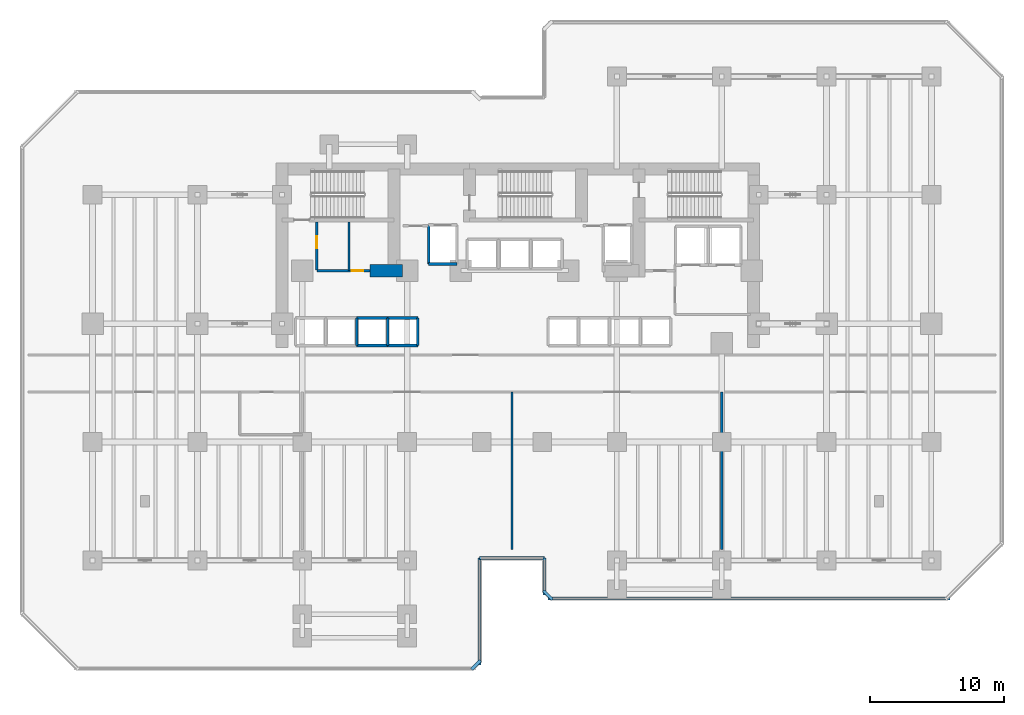
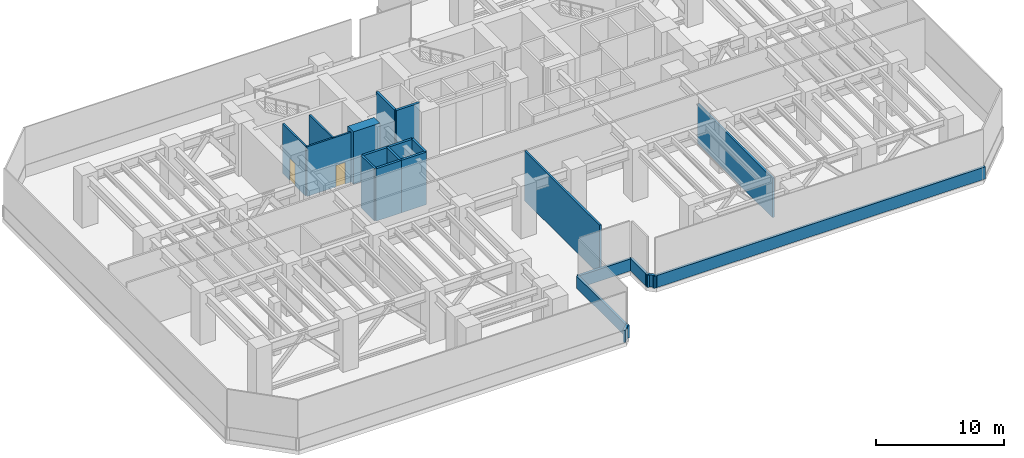
# One storey, part 6 of 13: 21 walls, 2 doors, 2 openings.
"""IFC4 building model written with IfcOpenShell, lengths in metres."""

import ifcopenshell
import ifcopenshell.guid

model = None  # the IFC model being written
_history = None  # IfcOwnerHistory: only IFC2X3 demands one
_inside = {}  # id of a spatial element -> (the spatial element, [elements in it])
_under = {}  # id of a project, library or spatial element -> (it, [spatial elements below it])
_declared = {}  # id of a project -> (the project, [libraries it declares])
_typed = {}  # id of a type object -> (the type object, [elements of that type])
_made_of = {}  # id of a material, layer set ... -> (it, [elements and type objects made of it])


def new_model(schema):
    """Start an empty IFC model of exactly this schema.

    Asked for "IFC4X3", IfcOpenShell would pick the latest addendum, in which some entities
    have other attributes; the version numbers below select the first issue.
    IFC2X3 requires an IfcOwnerHistory on every rooted entity: one is made here for all.
    """
    global model, _history
    if schema == "IFC4X3":
        model = ifcopenshell.file(schema_version=(4, 3, 0, 0))
    else:
        model = ifcopenshell.file(schema=schema)
    _inside.clear()
    _under.clear()
    _declared.clear()
    _typed.clear()
    _made_of.clear()
    _history = None
    if model.schema == "IFC2X3":
        org = make("IfcOrganization", Name="unknown")
        user = make(
            "IfcPersonAndOrganization",
            ThePerson=make("IfcPerson", FamilyName="unknown"),
            TheOrganization=org,
        )
        app = make(
            "IfcApplication",
            ApplicationDeveloper=org,
            Version="unknown",
            ApplicationFullName="unknown",
            ApplicationIdentifier="unknown",
        )
        _history = make(
            "IfcOwnerHistory",
            OwningUser=user,
            OwningApplication=app,
            ChangeAction="ADDED",
            CreationDate=0,
        )
    return model


def make(cls, **values):
    """One entity of the class cls with the attributes given. An attribute that is None is left unset."""
    return model.create_entity(
        cls, **{name: value for name, value in values.items() if value is not None}
    )


def rooted(cls, **values):
    """An entity with a GlobalId (a new one), such as an element, a storey or a relation."""
    return make(cls, GlobalId=ifcopenshell.guid.new(), OwnerHistory=_history, **values)


def si_unit(unit_type, name, prefix=None):
    """IfcSIUnit, for example si_unit("LENGTHUNIT", "METRE", prefix="MILLI")."""
    return make("IfcSIUnit", UnitType=unit_type, Prefix=prefix, Name=name)


def assignment(units):
    """IfcUnitAssignment: the units of a project."""
    return None if units is None else make("IfcUnitAssignment", Units=units)


def point(xyz):
    """IfcCartesianPoint."""
    return None if xyz is None else make("IfcCartesianPoint", Coordinates=xyz)


def direction(xyz):
    """IfcDirection."""
    return None if xyz is None else make("IfcDirection", DirectionRatios=xyz)


def frame(location, z_axis=None, x_axis=None):
    """IfcAxis2Placement3D, a coordinate frame: its origin and axes. An axis left out is left unset."""
    return make(
        "IfcAxis2Placement3D",
        Location=point(location),
        Axis=direction(z_axis),
        RefDirection=direction(x_axis),
    )


def frame_2d(location, x_axis=None):
    """IfcAxis2Placement2D, a coordinate frame in the plane: its origin and x axis."""
    return make(
        "IfcAxis2Placement2D", Location=point(location), RefDirection=direction(x_axis)
    )


def origin():
    """The frame at (0, 0, 0) with its axes left unset."""
    return frame((0.0, 0.0, 0.0))


def place(relative_to, where):
    """IfcLocalPlacement: puts the frame where relative to a parent placement (None: the world)."""
    return make(
        "IfcLocalPlacement", PlacementRelTo=relative_to, RelativePlacement=where
    )


def context(
    kind, dimensions, precision=None, world=None, true_north=None, identifier=None
):
    """IfcGeometricRepresentationContext, for example the 3D "Model" context."""
    return make(
        "IfcGeometricRepresentationContext",
        ContextIdentifier=identifier,
        ContextType=kind,
        CoordinateSpaceDimension=dimensions,
        Precision=precision,
        WorldCoordinateSystem=world,
        TrueNorth=true_north,
    )


def subcontext(parent, identifier, kind, view, scale=None):
    """IfcGeometricRepresentationSubContext, for example "Body" below "Model"."""
    return make(
        "IfcGeometricRepresentationSubContext",
        ContextIdentifier=identifier,
        ContextType=kind,
        ParentContext=parent,
        TargetScale=scale,
        TargetView=view,
    )


def project(units=None, contexts=None):
    """IfcProject with its units and contexts."""
    return rooted(
        "IfcProject",
        Name="project",
        RepresentationContexts=contexts,
        UnitsInContext=assignment(units),
    )


def spatial(cls, under=None, at=None, **own):
    """A site, building, storey or space (cls), placed at a placement, below another one or the project."""
    s = rooted(cls, ObjectPlacement=at, **own)
    if under is not None:
        _under.setdefault(under.id(), (under, []))[1].append(s)
    return s


def profile(cls, at=None, kind="AREA", **sizes):
    """A parametric profile (cls). Its sizes go by their IFC names, for example OverallWidth=200.0."""
    return make(cls, ProfileType=kind, Position=at, **sizes)


def rectangle(**sizes):
    """IfcRectangleProfileDef."""
    return profile("IfcRectangleProfileDef", **sizes)


def extrude(swept, where, along, depth):
    """IfcExtrudedAreaSolid: the profile swept, set in the frame where, extruded along a direction by depth."""
    return make(
        "IfcExtrudedAreaSolid",
        SweptArea=swept,
        Position=where,
        ExtrudedDirection=direction(along),
        Depth=depth,
    )


def shape(context_of_items, identifier, shape_type, items):
    """IfcShapeRepresentation: the items that make up one representation, for example the "Body"."""
    return make(
        "IfcShapeRepresentation",
        ContextOfItems=context_of_items,
        RepresentationIdentifier=identifier,
        RepresentationType=shape_type,
        Items=items,
    )


def material(Name=None, Category=None):
    """IfcMaterial."""
    return make("IfcMaterial", Name=Name, Category=Category)


def layer(
    of_material, thickness, ventilated=None, Name=None, Category=None, Priority=None
):
    """IfcMaterialLayer: one layer of a wall or slab, of a material (None: an air gap)."""
    return make(
        "IfcMaterialLayer",
        Material=of_material,
        LayerThickness=thickness,
        IsVentilated=ventilated,
        Name=Name,
        Category=Category,
        Priority=Priority,
    )


def layer_set(layers, Name=None):
    """IfcMaterialLayerSet."""
    return make("IfcMaterialLayerSet", MaterialLayers=layers, LayerSetName=Name)


def made_of(thing, what):
    """Note that an element or type object is made of a material, layer set ...; save() writes the relation."""
    if what is not None:
        _made_of.setdefault(what.id(), (what, []))[1].append(thing)
    return thing


def type_object(cls, material=None, **own):
    """A type object (cls), such as IfcWallType, which elements share."""
    return made_of(rooted(cls, **own), material)


def element(
    cls,
    number,
    at=None,
    inside=None,
    cuts=None,
    type_object=None,
    material=None,
    context=None,
    identifier="Body",
    shape_type=None,
    held_by="IfcProductDefinitionShape",
    body=None,
    shapes=None,
    **own,
):
    """One element of the class cls, such as IfcWall. Its Tag is "e" and its number.

    at: its placement. inside: the storey or other place that contains it. cuts: it is an
    opening in that element (IfcRelVoidsElement). A single representation is given by context,
    identifier, shape_type and body (its items); several are given by shapes. held_by: the class
    of the entity that holds the representations. save() writes the other relations.
    """
    e = rooted(cls, Tag="e%d" % number, ObjectPlacement=at, **own)
    if body is not None:
        shapes = [shape(context, identifier, shape_type, body)]
    if shapes is not None:
        e.Representation = make(held_by, Representations=shapes)
    if inside is not None:
        _inside.setdefault(inside.id(), (inside, []))[1].append(e)
    if cuts is not None:
        rooted(
            "IfcRelVoidsElement", RelatingBuildingElement=cuts, RelatedOpeningElement=e
        )
    if type_object is not None:
        _typed.setdefault(type_object.id(), (type_object, []))[1].append(e)
    return made_of(e, material)


def fill(opening, filler):
    """IfcRelFillsElement: the door or window that sits in an opening."""
    return rooted(
        "IfcRelFillsElement",
        RelatingOpeningElement=opening,
        RelatedBuildingElement=filler,
    )


def aggregate(whole, parts):
    """IfcRelAggregates: a whole, such as a stair, and the parts it consists of."""
    return rooted("IfcRelAggregates", RelatingObject=whole, RelatedObjects=parts)


def save(model, path):
    """Write the relations noted so far, then the file.

    IfcRelAggregates (storeys below a building ...), IfcRelContainedInSpatialStructure (elements
    in a storey), IfcRelDefinesByType, IfcRelAssociatesMaterial and IfcRelDeclares: one each for
    every whole, place, type object, material and project.
    """
    for whole, parts in _under.values():
        aggregate(whole, parts)
    for where, things in _inside.values():
        rooted(
            "IfcRelContainedInSpatialStructure",
            RelatedElements=things,
            RelatingStructure=where,
        )
    for kind, things in _typed.values():
        rooted("IfcRelDefinesByType", RelatedObjects=things, RelatingType=kind)
    for what, things in _made_of.values():
        rooted("IfcRelAssociatesMaterial", RelatedObjects=things, RelatingMaterial=what)
    for by, libraries in _declared.values():
        rooted("IfcRelDeclares", RelatingContext=by, RelatedDefinitions=libraries)
    model.write(path)


model = new_model("IFC4")

# Units and contexts
model_context = context("Model", 3, precision=1e-05, world=origin(), true_north=direction((0.0, 1.0)))
body_context = subcontext(model_context, "Body", "Model", "MODEL_VIEW")
ifc_project = project(units=[si_unit("LENGTHUNIT", "METRE"), si_unit("AREAUNIT", "SQUARE_METRE"), si_unit("VOLUMEUNIT", "CUBIC_METRE"), si_unit("PLANEANGLEUNIT", "RADIAN"), si_unit("MASSUNIT", "GRAM", prefix="KILO")], contexts=[model_context])

# Site, building, storey
site_placement = place(None, origin())
site = spatial("IfcSite", under=ifc_project, at=site_placement, CompositionType="ELEMENT")
building_placement = place(site_placement, origin())
building = spatial("IfcBuilding", under=site, at=building_placement, Name="Kestravale Grand Hotel", CompositionType="ELEMENT")
storey_placement = place(building_placement, frame((0.0, 0.0, 75.39990234375)))
storey = spatial("IfcBuildingStorey", under=building, at=storey_placement, Name="L18", CompositionType="ELEMENT", Elevation=75.39990234375)

# Walls
ifc_material_1 = material(Name="Concrete f'c 70 MPa", Category="concrete")
ifc_layer_1 = layer(ifc_material_1, 0.89990234375)
ifc_layer_set_1 = layer_set([ifc_layer_1], Name="EW-CORE-900")
wall_type_1 = type_object("IfcWallType", Name="EW-CORE-900", PredefinedType="SHEAR", material=ifc_layer_set_1)
wall_1_placement = place(storey_placement, frame((28.449951171875, 32.75, 0.0), z_axis=(0.0, 0.0, 1.0), x_axis=(1.0, 0.0, 0.0)))
element("IfcWall", 1, at=wall_1_placement, inside=storey, type_object=wall_type_1, Name="L18 core shear wall S1", PredefinedType="SHEAR", context=body_context, shape_type="SweptSolid", body=[
    extrude(rectangle(XDim=2.400146484375, YDim=0.89990234375, at=frame_2d((1.2001953125, 0.0))), origin(), (0.0, 0.0, 1.0), 5.0),
])
ifc_material_2 = material(Name="Precast concrete f'c 45 MPa", Category="concrete")
ifc_layer_2 = layer(ifc_material_2, 0.219970703125)
ifc_layer_set_2 = layer_set([ifc_layer_2], Name="EW-PAR-220")
wall_type_2 = type_object("IfcWallType", Name="EW-PAR-220", PredefinedType="PARAPET", material=ifc_layer_set_2)
wall_2_placement = place(storey_placement, frame((36.00146484375, 3.091796875, 0.0), z_axis=(0.0, 0.0, 1.0), x_axis=(0.707106781187, 0.707106781187, 0.0)))
element("IfcWall", 2, at=wall_2_placement, inside=storey, type_object=wall_type_2, Name="L18 refuge band parapet wall 2", PredefinedType="PARAPET", context=body_context, shape_type="SweptSolid", body=[
    extrude(rectangle(XDim=0.9287109375, YDim=0.219970703125, at=frame_2d((0.46435546875, 0.0))), origin(), (0.0, 0.0, 1.0), 1.150146484375),
])
wall_3_placement = place(storey_placement, frame((36.580078125, 3.429931640625, 0.0), z_axis=(0.0, 0.0, 1.0), x_axis=(0.0, 1.0, 0.0)))
element("IfcWall", 3, at=wall_3_placement, inside=storey, type_object=wall_type_2, Name="L18 refuge band parapet wall 3", PredefinedType="PARAPET", context=body_context, shape_type="SweptSolid", body=[
    extrude(rectangle(XDim=7.940185546875, YDim=0.219970703125, at=frame_2d((3.97021484375, 0.0))), origin(), (0.0, 0.0, 1.0), 1.150146484375),
])
wall_4_placement = place(storey_placement, frame((36.580078125, 11.3701171875, 0.0), z_axis=(0.0, 0.0, 1.0), x_axis=(1.0, 0.0, 0.0)))
element("IfcWall", 4, at=wall_4_placement, inside=storey, type_object=wall_type_2, Name="L18 refuge band parapet wall 4", PredefinedType="PARAPET", context=body_context, shape_type="SweptSolid", body=[
    extrude(rectangle(XDim=4.83984375, YDim=0.219970703125, at=frame_2d((2.419921875, 0.0))), origin(), (0.0, 0.0, 1.0), 1.150146484375),
])
wall_5_placement = place(storey_placement, frame((41.419921875, 11.3701171875, 0.0), z_axis=(0.0, 0.0, 1.0), x_axis=(0.0, -1.0, 0.0)))
element("IfcWall", 5, at=wall_5_placement, inside=storey, type_object=wall_type_2, Name="L18 refuge band parapet wall 5", PredefinedType="PARAPET", context=body_context, shape_type="SweptSolid", body=[
    extrude(rectangle(XDim=2.740234375, YDim=0.219970703125, at=frame_2d((1.3701171875, 0.0))), origin(), (0.0, 0.0, 1.0), 1.150146484375),
])
wall_6_placement = place(storey_placement, frame((41.341796875, 8.948486328125, 0.0), z_axis=(0.0, 0.0, 1.0), x_axis=(0.707238225886, -0.706975312048, 0.0)))
element("IfcWall", 6, at=wall_6_placement, inside=storey, type_object=wall_type_2, Name="L18 refuge band parapet wall 6", PredefinedType="PARAPET", context=body_context, shape_type="SweptSolid", body=[
    extrude(rectangle(XDim=0.9287109375, YDim=0.219970703125, at=frame_2d((0.46435546875, 0.0))), origin(), (0.0, 0.0, 1.0), 1.150146484375),
])
wall_7_placement = place(storey_placement, frame((41.679931640625, 8.3701171875, 0.0), z_axis=(0.0, 0.0, 1.0), x_axis=(1.0, 0.0, 0.0)))
element("IfcWall", 7, at=wall_7_placement, inside=storey, type_object=wall_type_2, Name="L18 refuge band parapet wall 7", PredefinedType="PARAPET", context=body_context, shape_type="SweptSolid", body=[
    extrude(rectangle(XDim=29.89013671875, YDim=0.219970703125, at=frame_2d((14.945068359375, 0.0))), origin(), (0.0, 0.0, 1.0), 1.150146484375),
])

# Wall, opening, door
ifc_material_3 = material(Name="Acoustic fire-rated gypsum board partition", Category="other")
ifc_layer_3 = layer(ifc_material_3, 0.159912109375)
ifc_layer_set_3 = layer_set([ifc_layer_3], Name="IW-CORR-160")
wall_type_3 = type_object("IfcWallType", Name="IW-CORR-160", PredefinedType="PARTITIONING", material=ifc_layer_set_3)
wall_8_placement = place(storey_placement, frame((24.47998046875, 32.800048828125, 0.0), z_axis=(0.0, 0.0, 1.0), x_axis=(0.0, 1.0, 0.0)))
wall_8 = element("IfcWall", 8, at=wall_8_placement, inside=storey, type_object=wall_type_3, Name="L18 west core vestibule wall", PredefinedType="PARTITIONING", context=body_context, shape_type="SweptSolid", body=[
    extrude(rectangle(XDim=3.570068359375, YDim=0.159912109375, at=frame_2d((1.78515625, 0.0))), origin(), (0.0, 0.0, 1.0), 4.739990234375),
])
opening_1_placement = place(wall_8_placement, frame((1.603515625, 0.0, 0.0)))
opening_1 = element("IfcOpeningElement", 9, at=opening_1_placement, cuts=wall_8, Name="Opening D-SH-900", PredefinedType="OPENING", context=body_context, shape_type="SweptSolid", body=[
    extrude(rectangle(XDim=0.89990234375, YDim=2.10009765625, at=frame_2d((0.449951171875, 1.050048828125))), frame((0.0, 0.08984375, 0.0), z_axis=(0.0, -1.0, 0.0), x_axis=(1.0, 0.0, 0.0)), (0.0, 0.0, 1.0), 0.179931640625),
])
ifc_material_4 = material(Name="Galvanised 90-minute shaft and service fire door", Category="steel")
door_type_1 = type_object("IfcDoorType", Name="D-SH-900", OperationType="NOTDEFINED", PredefinedType="DOOR", material=ifc_material_4)
door_1_placement = place(opening_1_placement, origin())
door_1 = element("IfcDoor", 10, at=door_1_placement, inside=storey, type_object=door_type_1, Name="D-L18-HK", OperationType="SINGLE_SWING_RIGHT", OverallHeight=2.10009765625, OverallWidth=0.89990234375, PredefinedType="DOOR", context=body_context, shape_type="SweptSolid", body=[
    extrude(rectangle(XDim=0.89990234375, YDim=2.10009765625, at=frame_2d((0.449951171875, 1.050048828125))), frame((0.0, 0.02490234375, 0.0), z_axis=(0.0, -1.0, 0.0), x_axis=(1.0, 0.0, 0.0)), (0.0, 0.0, 1.0), 0.050048828125),
])
fill(opening_1, door_1)

wall_9_placement = place(storey_placement, frame((24.47998046875, 32.75, 0.0), z_axis=(0.0, 0.0, 1.0), x_axis=(1.0, 0.0, 0.0)))
wall_9 = element("IfcWall", 11, at=wall_9_placement, inside=storey, type_object=wall_type_3, Name="W-L18-CWS", PredefinedType="PARTITIONING", context=body_context, shape_type="SweptSolid", body=[
    extrude(rectangle(XDim=3.969970703125, YDim=0.159912109375, at=frame_2d((1.98486328125, 0.0))), origin(), (0.0, 0.0, 1.0), 4.739990234375),
])
opening_2_placement = place(wall_9_placement, frame((2.5849609375, 0.0, 0.0)))
opening_2 = element("IfcOpeningElement", 12, at=opening_2_placement, cuts=wall_9, Name="Opening D-SH-860", PredefinedType="OPENING", context=body_context, shape_type="SweptSolid", body=[
    extrude(rectangle(XDim=0.860107421875, YDim=2.050048828125, at=frame_2d((0.43017578125, 1.02490234375))), frame((0.0, 0.08984375, 0.0), z_axis=(0.0, -1.0, 0.0), x_axis=(1.0, 0.0, 0.0)), (0.0, 0.0, 1.0), 0.179931640625),
])
ifc_material_5 = material(Name="Galvanised 90-minute riser fire door", Category="steel")
door_type_2 = type_object("IfcDoorType", Name="D-SH-860", OperationType="NOTDEFINED", PredefinedType="DOOR", material=ifc_material_5)
door_2_placement = place(opening_2_placement, origin())
door_2 = element("IfcDoor", 13, at=door_2_placement, inside=storey, type_object=door_type_2, Name="D-L18-ELEC", OperationType="SINGLE_SWING_RIGHT", OverallHeight=2.050048828125, OverallWidth=0.860107421875, PredefinedType="DOOR", context=body_context, shape_type="SweptSolid", body=[
    extrude(rectangle(XDim=0.860107421875, YDim=2.050048828125, at=frame_2d((0.43017578125, 1.02490234375))), frame((0.0, 0.02490234375, 0.0), z_axis=(0.0, -1.0, 0.0), x_axis=(1.0, 0.0, 0.0)), (0.0, 0.0, 1.0), 0.050048828125),
])
fill(opening_2, door_2)

# Walls
ifc_material_6 = material(Name="Fire-rated gypsum board on steel studs with mineral wool", Category="steel")
ifc_layer_4 = layer(ifc_material_6, 0.179931640625)
ifc_layer_set_4 = layer_set([ifc_layer_4], Name="IW-FSAE-180")
wall_type_4 = type_object("IfcWallType", Name="IW-FSAE-180", PredefinedType="PARTITIONING", material=ifc_layer_set_4)
wall_10_placement = place(storey_placement, frame((39.0, 12.0, 0.0), z_axis=(0.0, 0.0, 1.0), x_axis=(0.0, 1.0, 0.0)))
element("IfcWall", 14, at=wall_10_placement, inside=storey, type_object=wall_type_4, Name="W-L18-SP-2", PredefinedType="PARTITIONING", context=body_context, shape_type="SweptSolid", body=[
    extrude(rectangle(XDim=11.719970703125, YDim=0.179931640625, at=frame_2d((5.85986328125, 0.0))), origin(), (0.0, 0.0, 1.0), 4.739990234375),
])
wall_11_placement = place(storey_placement, frame((54.60009765625, 12.0, 0.0), z_axis=(0.0, 0.0, 1.0), x_axis=(0.0, 1.0, 0.0)))
element("IfcWall", 15, at=wall_11_placement, inside=storey, type_object=wall_type_4, Name="W-L18-SP-3", PredefinedType="PARTITIONING", context=body_context, shape_type="SweptSolid", body=[
    extrude(rectangle(XDim=11.719970703125, YDim=0.179931640625, at=frame_2d((5.85986328125, 0.0))), origin(), (0.0, 0.0, 1.0), 3.76318359375),
])
ifc_material_7 = material(Name="Concrete f'c 45 MPa", Category="concrete")
ifc_layer_5 = layer(ifc_material_7, 0.199951171875)
ifc_layer_set_5 = layer_set([ifc_layer_5], Name="IW-SHAFT-200")
wall_type_5 = type_object("IfcWallType", Name="IW-SHAFT-200", PredefinedType="SHEAR", material=ifc_layer_set_5)
for number, where, z_axis, x_axis, name in (
    (16, (27.449951171875, 27.169921875, 0.0), (0.0, 0.0, 1.0), (0.0, 1.0, 0.0), "L18 PL-L3 west shaft wall"),
    (17, (29.75, 27.169921875, 0.0), (0.0, 0.0, 1.0), (0.0, 1.0, 0.0), "L18 PL-L4 west shaft wall"),
    (18, (31.9951171875, 27.169921875, 0.0), (0.0, 0.0, 1.0), (0.0, 1.0, 0.0), "L18 PL-L4 east shaft wall"),
):
    element("IfcWall", number, at=place(storey_placement, frame(where, z_axis=z_axis, x_axis=x_axis)), inside=storey, type_object=wall_type_5, Name=name, PredefinedType="SHEAR", context=body_context, shape_type="SweptSolid", body=[
        extrude(rectangle(XDim=2.06005859375, YDim=0.199951171875, at=frame_2d((1.030029296875, 0.0))), origin(), (0.0, 0.0, 1.0), 5.0),
    ])
wall_12_placement = place(storey_placement, frame((32.804931640625, 33.2451171875, 0.0), z_axis=(0.0, 0.0, 1.0), x_axis=(0.0, 1.0, 0.0)))
element("IfcWall", 19, at=wall_12_placement, inside=storey, type_object=wall_type_5, Name="L18 FL-1 west shaft wall", PredefinedType="SHEAR", context=body_context, shape_type="SweptSolid", body=[
    extrude(rectangle(XDim=2.909912109375, YDim=0.199951171875, at=frame_2d((1.455078125, 0.0))), origin(), (0.0, 0.0, 1.0), 5.0),
])
ifc_material_8 = material(Name="Concrete f'c 45 MPa", Category="concrete")
ifc_layer_6 = layer(ifc_material_8, 0.219970703125)
ifc_layer_set_6 = layer_set([ifc_layer_6], Name="IW-SHAFT-220")
wall_type_6 = type_object("IfcWallType", Name="IW-SHAFT-220", PredefinedType="SHEAR", material=ifc_layer_set_6)
for number, where, z_axis, x_axis, name in (
    (20, (27.449951171875, 29.22998046875, 0.0), (0.0, 0.0, 1.0), (1.0, 0.0, 0.0), "L18 PL-L3 north shaft wall"),
    (21, (27.449951171875, 27.169921875, 0.0), (0.0, 0.0, 1.0), (1.0, 0.0, 0.0), "L18 PL-L3 south shaft wall"),
):
    element("IfcWall", number, at=place(storey_placement, frame(where, z_axis=z_axis, x_axis=x_axis)), inside=storey, type_object=wall_type_6, Name=name, PredefinedType="SHEAR", context=body_context, shape_type="SweptSolid", body=[
        extrude(rectangle(XDim=2.300048828125, YDim=0.219970703125, at=frame_2d((1.14990234375, 0.0))), origin(), (0.0, 0.0, 1.0), 5.0),
    ])
for number, where, z_axis, x_axis, name in (
    (22, (29.75, 29.22998046875, 0.0), (0.0, 0.0, 1.0), (1.0, 0.0, 0.0), "L18 PL-L4 north shaft wall"),
    (23, (29.75, 27.169921875, 0.0), (0.0, 0.0, 1.0), (1.0, 0.0, 0.0), "L18 PL-L4 south shaft wall"),
):
    element("IfcWall", number, at=place(storey_placement, frame(where, z_axis=z_axis, x_axis=x_axis)), inside=storey, type_object=wall_type_6, Name=name, PredefinedType="SHEAR", context=body_context, shape_type="SweptSolid", body=[
        extrude(rectangle(XDim=2.2451171875, YDim=0.219970703125, at=frame_2d((1.12255859375, 0.0))), origin(), (0.0, 0.0, 1.0), 5.0),
    ])
wall_13_placement = place(storey_placement, frame((32.804931640625, 33.2451171875, 0.0), z_axis=(0.0, 0.0, 1.0), x_axis=(1.0, 0.0, 0.0)))
element("IfcWall", 24, at=wall_13_placement, inside=storey, type_object=wall_type_6, Name="L18 FL-1 south shaft wall", PredefinedType="SHEAR", context=body_context, shape_type="SweptSolid", body=[
    extrude(rectangle(XDim=2.090087890625, YDim=0.219970703125, at=frame_2d((1.044921875, 0.0))), origin(), (0.0, 0.0, 1.0), 5.0),
])
ifc_material_9 = material(Name="Double-stud STC 52 acoustic demising partition", Category="other")
ifc_layer_7 = layer(ifc_material_9, 0.14990234375)
ifc_layer_set_7 = layer_set([ifc_layer_7], Name="IW-UNIT-150")
wall_type_7 = type_object("IfcWallType", Name="IW-UNIT-150", PredefinedType="PARTITIONING", material=ifc_layer_set_7)
wall_14_placement = place(storey_placement, frame((26.8798828125, 32.75, 0.0), z_axis=(0.0, 0.0, 1.0), x_axis=(0.0, 1.0, 0.0)))
element("IfcWall", 25, at=wall_14_placement, inside=storey, type_object=wall_type_7, Name="W-L18-CC0-1", PredefinedType="PARTITIONING", context=body_context, shape_type="SweptSolid", body=[
    extrude(rectangle(XDim=3.6201171875, YDim=0.14990234375, at=frame_2d((1.81005859375, 0.0))), origin(), (0.0, 0.0, 1.0), 4.739990234375),
])

save(model, "model.ifc")
